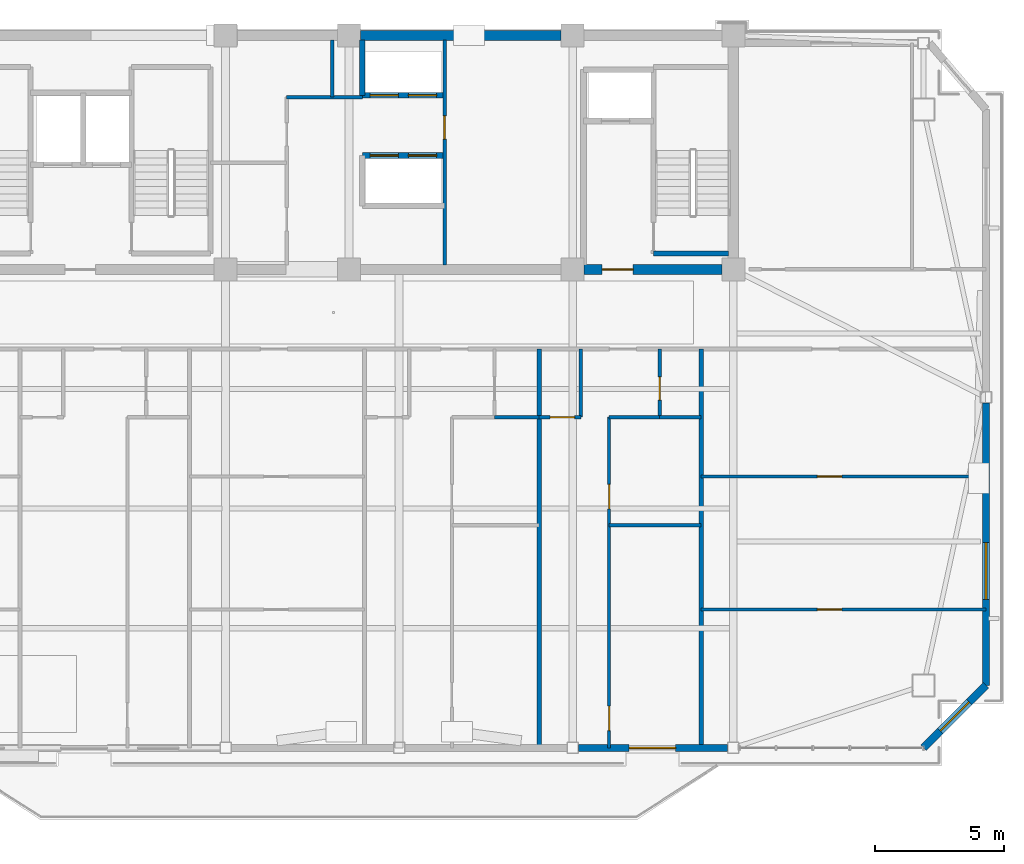
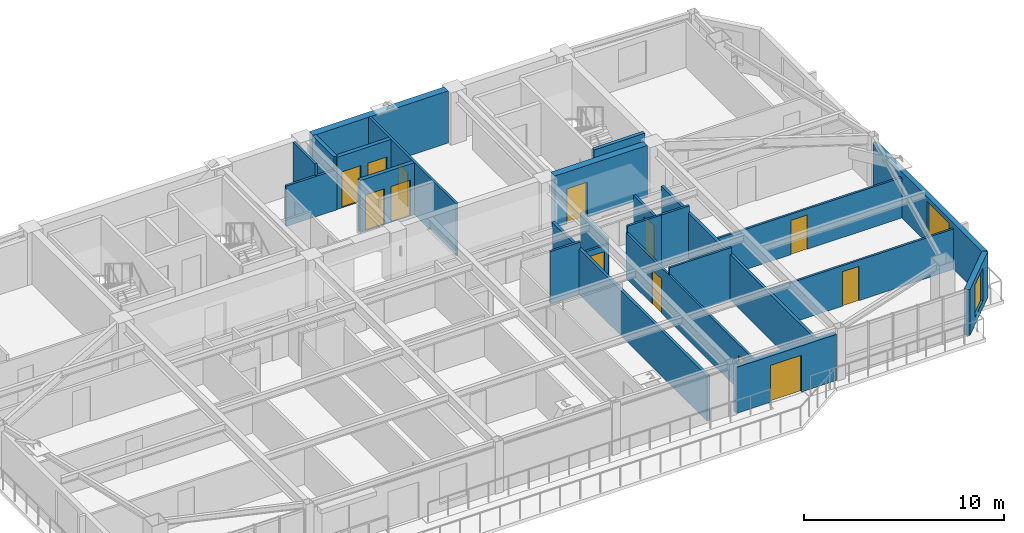
# One storey, part 9 of 15: 24 walls, 13 doors, 2 windows, 15 openings.
"""IFC4 building model written with IfcOpenShell, lengths in metres."""

from ifc_helpers import new_model, si_unit, direction, frame, frame_2d, origin, place, context, subcontext, project, spatial, rectangle, extrude, source, transform, mapped, material, layer, layer_set, type_object, element, fill, save


model = new_model("IFC4")

# Units and contexts
model_context = context("Model", 3, precision=1e-05, world=origin(), true_north=direction((0.0, 1.0)))
body_context = subcontext(model_context, "Body", "Model", "MODEL_VIEW")
ifc_project = project(units=[si_unit("LENGTHUNIT", "METRE"), si_unit("AREAUNIT", "SQUARE_METRE"), si_unit("VOLUMEUNIT", "CUBIC_METRE"), si_unit("PLANEANGLEUNIT", "RADIAN"), si_unit("MASSUNIT", "GRAM", prefix="KILO")], contexts=[model_context])

# Site, building, storey
site_placement = place(None, origin())
site = spatial("IfcSite", under=ifc_project, at=site_placement, CompositionType="ELEMENT")
building_placement = place(site_placement, origin())
building = spatial("IfcBuilding", under=site, at=building_placement, Name="Giltprow Tower", CompositionType="ELEMENT")
storey_placement = place(building_placement, frame((0.0, 0.0, 297.199951171875)))
storey = spatial("IfcBuildingStorey", under=building, at=storey_placement, Name="L76", CompositionType="ELEMENT", Elevation=297.199951171875)

# Wall, opening, window
ifc_material_1 = material(Name="Precast concrete C40", Category="concrete")
ifc_layer_1 = layer(ifc_material_1, 0.300048828125, Name="Precast concrete C40")
ifc_layer_set_1 = layer_set([ifc_layer_1], Name="Precast concrete C40")
wall_type_1 = type_object("IfcWallType", Name="EW-NOTCH-CHAMFER-300", PredefinedType="SOLIDWALL", material=ifc_layer_set_1)
wall_1_placement = place(storey_placement, frame((57.945068359375, 18.841064453125, 0.0), z_axis=(0.0, 0.0, 1.0), x_axis=(0.707106781187, 0.707106781187, 0.0)))
wall_1 = element("IfcWall", 1, at=wall_1_placement, inside=storey, type_object=wall_type_1, Name="L76 Corner Notch Wall SE", PredefinedType="SOLIDWALL", context=body_context, shape_type="SweptSolid", body=[
    extrude(rectangle(XDim=3.437744140625, YDim=0.300048828125, at=frame_2d((1.71875, 0.0))), origin(), (0.0, 0.0, 1.0), 2.81494140625),
])
opening_1_placement = place(wall_1_placement, frame((0.9189453125, 0.0, 0.449951171875)))
opening_1 = element("IfcOpeningElement", 2, at=opening_1_placement, cuts=wall_1, Name="Opening WN17", PredefinedType="OPENING", context=body_context, shape_type="SweptSolid", body=[
    extrude(rectangle(XDim=1.60009765625, YDim=2.0, at=frame_2d((0.800048828125, 1.0))), frame((0.0, 0.159912109375, 0.0), z_axis=(0.0, -1.0, 0.0), x_axis=(1.0, 0.0, 0.0)), (0.0, 0.0, 1.0), 0.320068359375),
])
ifc_material_2 = material(Name="Insulated glass", Category="glass")
window_type_1 = type_object("IfcWindowType", Name="WN-COR-1600x2000", PartitioningType="SINGLE_PANEL", PredefinedType="WINDOW", material=ifc_material_2)
shared_shape_1 = source(origin(), body_context, "Body", "SweptSolid", [
    extrude(rectangle(XDim=1.60009765625, YDim=2.0, at=frame_2d((0.800048828125, 1.0))), frame((0.0, 0.030029296875, 0.0), z_axis=(0.0, -1.0, 0.0), x_axis=(1.0, 0.0, 0.0)), (0.0, 0.0, 1.0), 0.06005859375),
])
window_1_placement = place(opening_1_placement, origin())
window_1 = element("IfcWindow", 3, at=window_1_placement, inside=storey, type_object=window_type_1, Name="L76 Corner Notch Window SE", OverallHeight=2.0, OverallWidth=1.60009765625, PartitioningType="SINGLE_PANEL", PredefinedType="WINDOW", context=body_context, shape_type="MappedRepresentation", body=[
    mapped(shared_shape_1, transform((0.0, 0.0, 0.0), x_axis=(1.0, 0.0, 0.0), y_axis=(0.0, 1.0, 0.0), z_axis=(0.0, 0.0, 1.0), scale=1.0)),
])
fill(opening_1, window_1)

# Wall, opening, door
ifc_layer_2 = layer(ifc_material_1, 0.280029296875, Name="Precast concrete C40")
ifc_layer_set_2 = layer_set([ifc_layer_2], Name="Precast concrete C40")
wall_type_2 = type_object("IfcWallType", Name="EW-TOW-BRONZE-280", PredefinedType="SOLIDWALL", material=ifc_layer_set_2)
wall_2_placement = place(storey_placement, frame((44.52490234375, 18.841064453125, 0.0), z_axis=(0.0, 0.0, 1.0), x_axis=(1.0, 0.0, 0.0)))
wall_2 = element("IfcWall", 4, at=wall_2_placement, inside=storey, type_object=wall_type_2, Name="L76 South Expressed Frame Wall 5", PredefinedType="SOLIDWALL", context=body_context, shape_type="SweptSolid", body=[
    extrude(rectangle(XDim=5.800048828125, YDim=0.280029296875, at=frame_2d((2.89990234375, 0.0))), origin(), (0.0, 0.0, 1.0), 2.81494140625),
])
opening_2_placement = place(wall_2_placement, frame((1.97509765625, 0.0, 0.0)))
opening_2 = element("IfcOpeningElement", 5, at=opening_2_placement, cuts=wall_2, Name="Opening ED25", PredefinedType="OPENING", context=body_context, shape_type="SweptSolid", body=[
    extrude(rectangle(XDim=1.800048828125, YDim=2.25, at=frame_2d((0.89990234375, 1.125))), frame((0.0, 0.14990234375, 0.0), z_axis=(0.0, -1.0, 0.0), x_axis=(1.0, 0.0, 0.0)), (0.0, 0.0, 1.0), 0.300048828125),
])
ifc_material_3 = material(Name="Anodized bronze and glass", Category="glass")
door_type_1 = type_object("IfcDoorType", Name="DR-BALC-SLIDE-1800", OperationType="SLIDING_TO_LEFT", PredefinedType="DOOR", material=ifc_material_3)
shared_shape_2 = source(origin(), body_context, "Body", "SweptSolid", [
    extrude(rectangle(XDim=1.800048828125, YDim=2.25, at=frame_2d((0.89990234375, 1.125))), frame((0.0, 0.02490234375, 0.0), z_axis=(0.0, -1.0, 0.0), x_axis=(1.0, 0.0, 0.0)), (0.0, 0.0, 1.0), 0.050048828125),
])
door_1_placement = place(opening_2_placement, origin())
door_1 = element("IfcDoor", 6, at=door_1_placement, inside=storey, type_object=door_type_1, Name="L76 Waterfront Balcony Sliding Door 2", OperationType="SLIDING_TO_LEFT", OverallHeight=2.25, OverallWidth=1.800048828125, PredefinedType="DOOR", context=body_context, shape_type="MappedRepresentation", body=[
    mapped(shared_shape_2, transform((0.0, 0.0, 0.0), x_axis=(1.0, 0.0, 0.0), y_axis=(0.0, 1.0, 0.0), z_axis=(0.0, 0.0, 1.0), scale=1.0)),
])
fill(opening_2, door_1)

# Wall, opening, window
wall_3_placement = place(storey_placement, frame((60.3759765625, 21.27197265625, 0.0), z_axis=(0.0, 0.0, 1.0), x_axis=(0.0, 1.0, 0.0)))
wall_3 = element("IfcWall", 7, at=wall_3_placement, inside=storey, type_object=wall_type_2, Name="L76 E Wing Masonry Wall 1", PredefinedType="SOLIDWALL", context=body_context, shape_type="SweptSolid", body=[
    extrude(rectangle(XDim=10.97412109375, YDim=0.280029296875, at=frame_2d((5.487060546875, 0.0))), origin(), (0.0, 0.0, 1.0), 2.81494140625),
])
opening_3_placement = place(wall_3_placement, frame((3.346923828125, 0.0, 0.449951171875)))
opening_3 = element("IfcOpeningElement", 8, at=opening_3_placement, cuts=wall_3, Name="Opening WN27", PredefinedType="OPENING", context=body_context, shape_type="SweptSolid", body=[
    extrude(rectangle(XDim=2.199951171875, YDim=2.10009765625, at=frame_2d((1.10009765625, 1.050048828125))), frame((0.0, 0.14990234375, 0.0), z_axis=(0.0, -1.0, 0.0), x_axis=(1.0, 0.0, 0.0)), (0.0, 0.0, 1.0), 0.300048828125),
])
window_type_2 = type_object("IfcWindowType", Name="WN-RES-2200x2100", PartitioningType="TRIPLE_PANEL_VERTICAL", PredefinedType="WINDOW", material=ifc_material_2)
shared_shape_3 = source(origin(), body_context, "Body", "SweptSolid", [
    extrude(rectangle(XDim=2.199951171875, YDim=2.10009765625, at=frame_2d((1.10009765625, 1.050048828125))), frame((0.0, 0.030029296875, 0.0), z_axis=(0.0, -1.0, 0.0), x_axis=(1.0, 0.0, 0.0)), (0.0, 0.0, 1.0), 0.06005859375),
])
window_2_placement = place(opening_3_placement, origin())
window_2 = element("IfcWindow", 9, at=window_2_placement, inside=storey, type_object=window_type_2, Name="L76 E Wing Window 1-1", OverallHeight=2.10009765625, OverallWidth=2.199951171875, PartitioningType="SINGLE_PANEL", PredefinedType="WINDOW", context=body_context, shape_type="MappedRepresentation", body=[
    mapped(shared_shape_3, transform((0.0, 0.0, 0.0), x_axis=(1.0, 0.0, 0.0), y_axis=(0.0, 1.0, 0.0), z_axis=(0.0, 0.0, 1.0), scale=1.0)),
])
fill(opening_3, window_2)

# Walls
ifc_material_4 = material(Name="Gypsum stud partition", Category="gypsum")
ifc_layer_3 = layer(ifc_material_4, 0.159912109375, Name="Gypsum stud partition")
ifc_layer_set_3 = layer_set([ifc_layer_3], Name="Gypsum stud partition")
wall_type_3 = type_object("IfcWallType", Name="IW-DEMISE-160", PredefinedType="PARTITIONING", material=ifc_layer_set_3)
for number, where, z_axis, x_axis, name in (
    (10, (43.0, 18.841064453125, 0.0), (0.0, 0.0, 1.0), (0.0, 1.0, 0.0), "L76 Apartment Party Wall 4"),
    (11, (49.300048828125, 18.841064453125, 0.0), (0.0, 0.0, 1.0), (0.0, 1.0, 0.0), "L76 Apartment Party Wall 5"),
):
    element("IfcWall", number, at=place(storey_placement, frame(where, z_axis=z_axis, x_axis=x_axis)), inside=storey, type_object=wall_type_3, Name=name, PredefinedType="PARTITIONING", context=body_context, shape_type="SweptSolid", body=[
        extrude(rectangle(XDim=15.509033203125, YDim=0.159912109375, at=frame_2d((7.75439453125, 0.0))), origin(), (0.0, 0.0, 1.0), 2.77001953125),
    ])
ifc_layer_4 = layer(ifc_material_4, 0.1201171875, Name="Gypsum stud partition")
ifc_layer_set_4 = layer_set([ifc_layer_4], Name="Gypsum stud partition")
wall_type_4 = type_object("IfcWallType", Name="IW-ROOM-120", PredefinedType="PARTITIONING", material=ifc_layer_set_4)
wall_4_placement = place(storey_placement, frame((45.719970703125, 31.699951171875, 0.0), z_axis=(0.0, 0.0, 1.0), x_axis=(1.0, 0.0, 0.0)))
element("IfcWall", 12, at=wall_4_placement, inside=storey, type_object=wall_type_4, Name="L76 Unit 3 Bedroom North Wall", PredefinedType="PARTITIONING", context=body_context, shape_type="SweptSolid", body=[
    extrude(rectangle(XDim=1.965087890625, YDim=0.1201171875, at=frame_2d((0.982421875, 0.0))), origin(), (0.0, 0.0, 1.0), 3.18505859375),
])

# Wall, openings, doors
wall_5_placement = place(storey_placement, frame((45.719970703125, 18.841064453125, 0.0), z_axis=(0.0, 0.0, 1.0), x_axis=(0.0, 1.0, 0.0)))
wall_5 = element("IfcWall", 13, at=wall_5_placement, inside=storey, type_object=wall_type_4, Name="L76 Unit 3 Bedroom Wall", PredefinedType="PARTITIONING", context=body_context, shape_type="SweptSolid", body=[
    extrude(rectangle(XDim=12.85888671875, YDim=0.1201171875, at=frame_2d((6.429443359375, 0.0))), origin(), (0.0, 0.0, 1.0), 2.77001953125),
])
opening_4_placement = place(wall_5_placement, frame((0.669921875, 0.0, 0.0)))
opening_4 = element("IfcOpeningElement", 14, at=opening_4_placement, cuts=wall_5, Name="Opening ID11", PredefinedType="OPENING", context=body_context, shape_type="SweptSolid", body=[
    extrude(rectangle(XDim=0.949951171875, YDim=2.10009765625, at=frame_2d((0.47509765625, 1.050048828125))), frame((0.0, 0.070068359375, 0.0), z_axis=(0.0, -1.0, 0.0), x_axis=(1.0, 0.0, 0.0)), (0.0, 0.0, 1.0), 0.14013671875),
])
opening_5_placement = place(wall_5_placement, frame((9.299072265625, 0.0, 0.0)))
opening_5 = element("IfcOpeningElement", 15, at=opening_5_placement, cuts=wall_5, Name="Opening ID11", PredefinedType="OPENING", context=body_context, shape_type="SweptSolid", body=[
    extrude(rectangle(XDim=0.949951171875, YDim=2.10009765625, at=frame_2d((0.47509765625, 1.050048828125))), frame((0.0, 0.070068359375, 0.0), z_axis=(0.0, -1.0, 0.0), x_axis=(1.0, 0.0, 0.0)), (0.0, 0.0, 1.0), 0.14013671875),
])
ifc_material_5 = material(Name="Engineered timber", Category="wood")
door_type_2 = type_object("IfcDoorType", Name="DR-ROOM-950", OperationType="SINGLE_SWING_RIGHT", PredefinedType="DOOR", material=ifc_material_5)
shared_shape_4 = source(origin(), body_context, "Body", "SweptSolid", [
    extrude(rectangle(XDim=0.949951171875, YDim=2.10009765625, at=frame_2d((0.47509765625, 1.050048828125))), frame((0.0, 0.02490234375, 0.0), z_axis=(0.0, -1.0, 0.0), x_axis=(1.0, 0.0, 0.0)), (0.0, 0.0, 1.0), 0.050048828125),
])
door_2_placement = place(opening_4_placement, origin())
door_2 = element("IfcDoor", 16, at=door_2_placement, inside=storey, type_object=door_type_2, Name="L76 Unit 3 Primary Bedroom Door", OperationType="SINGLE_SWING_RIGHT", OverallHeight=2.10009765625, OverallWidth=0.949951171875, PredefinedType="DOOR", context=body_context, shape_type="MappedRepresentation", body=[
    mapped(shared_shape_4, transform((0.0, 0.0, 0.0), x_axis=(1.0, 0.0, 0.0), y_axis=(0.0, 1.0, 0.0), z_axis=(0.0, 0.0, 1.0), scale=1.0)),
])
fill(opening_4, door_2)
door_3_placement = place(opening_5_placement, origin())
door_3 = element("IfcDoor", 17, at=door_3_placement, inside=storey, type_object=door_type_2, Name="L76 Unit 3 Second Bedroom Door", OperationType="SINGLE_SWING_LEFT", OverallHeight=2.10009765625, OverallWidth=0.949951171875, PredefinedType="DOOR", context=body_context, shape_type="MappedRepresentation", body=[
    mapped(shared_shape_4, transform((0.0, 0.0, 0.0), x_axis=(1.0, 0.0, 0.0), y_axis=(0.0, 1.0, 0.0), z_axis=(0.0, 0.0, 1.0), scale=1.0)),
])
fill(opening_5, door_3)

# Wall
wall_6_placement = place(storey_placement, frame((45.719970703125, 27.5, 0.0), z_axis=(0.0, 0.0, 1.0), x_axis=(1.0, 0.0, 0.0)))
element("IfcWall", 18, at=wall_6_placement, inside=storey, type_object=wall_type_4, Name="L76 Unit 3 Second Bedroom Wall", PredefinedType="PARTITIONING", context=body_context, shape_type="SweptSolid", body=[
    extrude(rectangle(XDim=3.580078125, YDim=0.1201171875, at=frame_2d((1.7900390625, 0.0))), origin(), (0.0, 0.0, 1.0), 3.18505859375),
])

# Wall, opening, door
wall_7_placement = place(storey_placement, frame((49.300048828125, 24.218994140625, 0.0), z_axis=(0.0, 0.0, 1.0), x_axis=(1.0, 0.0, 0.0)))
wall_7 = element("IfcWall", 19, at=wall_7_placement, inside=storey, type_object=wall_type_4, Name="L76 Special Split 1", PredefinedType="PARTITIONING", context=body_context, shape_type="SweptSolid", body=[
    extrude(rectangle(XDim=11.075927734375, YDim=0.1201171875, at=frame_2d((5.5380859375, 0.0))), origin(), (0.0, 0.0, 1.0), 2.469970703125),
])
opening_6_placement = place(wall_7_placement, frame((4.51611328125, 0.0, 0.0)))
opening_6 = element("IfcOpeningElement", 20, at=opening_6_placement, cuts=wall_7, Name="Opening ID11", PredefinedType="OPENING", context=body_context, shape_type="SweptSolid", body=[
    extrude(rectangle(XDim=0.949951171875, YDim=2.10009765625, at=frame_2d((0.47509765625, 1.050048828125))), frame((0.0, 0.070068359375, 0.0), z_axis=(0.0, -1.0, 0.0), x_axis=(1.0, 0.0, 0.0)), (0.0, 0.0, 1.0), 0.14013671875),
])
door_4_placement = place(opening_6_placement, origin())
door_4 = element("IfcDoor", 21, at=door_4_placement, inside=storey, type_object=door_type_2, Name="L76 Sky Yoga Gym 3 South Door", OperationType="SINGLE_SWING_RIGHT", OverallHeight=2.10009765625, OverallWidth=0.949951171875, PredefinedType="DOOR", context=body_context, shape_type="MappedRepresentation", body=[
    mapped(shared_shape_4, transform((0.0, 0.0, 0.0), x_axis=(1.0, 0.0, 0.0), y_axis=(0.0, 1.0, 0.0), z_axis=(0.0, 0.0, 1.0), scale=1.0)),
])
fill(opening_6, door_4)

wall_8_placement = place(storey_placement, frame((49.300048828125, 29.39697265625, 0.0), z_axis=(0.0, 0.0, 1.0), x_axis=(1.0, 0.0, 0.0)))
wall_8 = element("IfcWall", 22, at=wall_8_placement, inside=storey, type_object=wall_type_4, Name="L76 Special Split 2", PredefinedType="PARTITIONING", context=body_context, shape_type="SweptSolid", body=[
    extrude(rectangle(XDim=11.075927734375, YDim=0.1201171875, at=frame_2d((5.5380859375, 0.0))), origin(), (0.0, 0.0, 1.0), 2.469970703125),
])
opening_7_placement = place(wall_8_placement, frame((4.51611328125, 0.0, 0.0)))
opening_7 = element("IfcOpeningElement", 23, at=opening_7_placement, cuts=wall_8, Name="Opening ID11", PredefinedType="OPENING", context=body_context, shape_type="SweptSolid", body=[
    extrude(rectangle(XDim=0.949951171875, YDim=2.10009765625, at=frame_2d((0.47509765625, 1.050048828125))), frame((0.0, 0.070068359375, 0.0), z_axis=(0.0, -1.0, 0.0), x_axis=(1.0, 0.0, 0.0)), (0.0, 0.0, 1.0), 0.14013671875),
])
door_5_placement = place(opening_7_placement, origin())
door_5 = element("IfcDoor", 24, at=door_5_placement, inside=storey, type_object=door_type_2, Name="L76 Sky Yoga Gym 3 Mid Door", OperationType="SINGLE_SWING_LEFT", OverallHeight=2.10009765625, OverallWidth=0.949951171875, PredefinedType="DOOR", context=body_context, shape_type="MappedRepresentation", body=[
    mapped(shared_shape_4, transform((0.0, 0.0, 0.0), x_axis=(1.0, 0.0, 0.0), y_axis=(0.0, 1.0, 0.0), z_axis=(0.0, 0.0, 1.0), scale=1.0)),
])
fill(opening_7, door_5)

# Wall, openings, doors
ifc_material_6 = material(Name="Concrete C40", Category="concrete")
ifc_layer_5 = layer(ifc_material_6, 0.219970703125, Name="Concrete C40")
ifc_layer_set_5 = layer_set([ifc_layer_5], Name="Concrete C40")
wall_type_5 = type_object("IfcWallType", Name="IW-SHAFT-220", PredefinedType="SOLIDWALL", material=ifc_layer_set_5)
wall_9_placement = place(storey_placement, frame((36.1201171875, 44.219970703125, 0.0), z_axis=(0.0, 0.0, 1.0), x_axis=(1.0, 0.0, 0.0)))
wall_9 = element("IfcWall", 25, at=wall_9_placement, inside=storey, type_object=wall_type_5, Name="L76 High-Rise Lift Shaft Front Wall N", PredefinedType="SOLIDWALL", context=body_context, shape_type="SweptSolid", body=[
    extrude(rectangle(XDim=3.199951171875, YDim=0.219970703125, at=frame_2d((1.60009765625, 0.0))), origin(), (0.0, 0.0, 1.0), 3.18505859375),
])
opening_8_placement = place(wall_9_placement, frame((0.300048828125, 0.0, 0.0)))
opening_8 = element("IfcOpeningElement", 26, at=opening_8_placement, cuts=wall_9, Name="Opening LD-11", PredefinedType="OPENING", context=body_context, shape_type="SweptSolid", body=[
    extrude(rectangle(XDim=1.10009765625, YDim=2.199951171875, at=frame_2d((0.550048828125, 1.10009765625))), frame((0.0, 0.119873046875, 0.0), z_axis=(0.0, -1.0, 0.0), x_axis=(1.0, 0.0, 0.0)), (0.0, 0.0, 1.0), 0.239990234375),
])
opening_9_placement = place(wall_9_placement, frame((1.7900390625, 0.0, 0.0)))
opening_9 = element("IfcOpeningElement", 27, at=opening_9_placement, cuts=wall_9, Name="Opening LD-11", PredefinedType="OPENING", context=body_context, shape_type="SweptSolid", body=[
    extrude(rectangle(XDim=1.10009765625, YDim=2.199951171875, at=frame_2d((0.550048828125, 1.10009765625))), frame((0.0, 0.119873046875, 0.0), z_axis=(0.0, -1.0, 0.0), x_axis=(1.0, 0.0, 0.0)), (0.0, 0.0, 1.0), 0.239990234375),
])
ifc_material_7 = material(Name="Stainless steel", Category="steel")
door_type_3 = type_object("IfcDoorType", Name="DR-LIFT-LD1100", OperationType="SLIDING_TO_LEFT", PredefinedType="DOOR", material=ifc_material_7)
shared_shape_5 = source(origin(), body_context, "Body", "SweptSolid", [
    extrude(rectangle(XDim=1.10009765625, YDim=2.199951171875, at=frame_2d((0.550048828125, 1.10009765625))), frame((0.0, 0.02490234375, 0.0), z_axis=(0.0, -1.0, 0.0), x_axis=(1.0, 0.0, 0.0)), (0.0, 0.0, 1.0), 0.050048828125),
])
door_6_placement = place(opening_8_placement, origin())
door_6 = element("IfcDoor", 28, at=door_6_placement, inside=storey, type_object=door_type_3, Name="L76 PL-H1 Landing Door", OperationType="SLIDING_TO_LEFT", OverallHeight=2.199951171875, OverallWidth=1.10009765625, PredefinedType="DOOR", context=body_context, shape_type="MappedRepresentation", body=[
    mapped(shared_shape_5, transform((0.0, 0.0, 0.0), x_axis=(1.0, 0.0, 0.0), y_axis=(0.0, 1.0, 0.0), z_axis=(0.0, 0.0, 1.0), scale=1.0)),
])
fill(opening_8, door_6)
door_7_placement = place(opening_9_placement, origin())
door_7 = element("IfcDoor", 29, at=door_7_placement, inside=storey, type_object=door_type_3, Name="L76 PL-H2 Landing Door", OperationType="SLIDING_TO_LEFT", OverallHeight=2.199951171875, OverallWidth=1.10009765625, PredefinedType="DOOR", context=body_context, shape_type="MappedRepresentation", body=[
    mapped(shared_shape_5, transform((0.0, 0.0, 0.0), x_axis=(1.0, 0.0, 0.0), y_axis=(0.0, 1.0, 0.0), z_axis=(0.0, 0.0, 1.0), scale=1.0)),
])
fill(opening_9, door_7)

wall_10_placement = place(storey_placement, frame((36.1201171875, 41.8798828125, 0.0), z_axis=(0.0, 0.0, 1.0), x_axis=(1.0, 0.0, 0.0)))
wall_10 = element("IfcWall", 30, at=wall_10_placement, inside=storey, type_object=wall_type_5, Name="L76 High-Rise Lift Shaft Front Wall S", PredefinedType="SOLIDWALL", context=body_context, shape_type="SweptSolid", body=[
    extrude(rectangle(XDim=3.199951171875, YDim=0.219970703125, at=frame_2d((1.60009765625, 0.0))), origin(), (0.0, 0.0, 1.0), 3.18505859375),
])
opening_10_placement = place(wall_10_placement, frame((0.300048828125, 0.0, 0.0)))
opening_10 = element("IfcOpeningElement", 31, at=opening_10_placement, cuts=wall_10, Name="Opening LD-11", PredefinedType="OPENING", context=body_context, shape_type="SweptSolid", body=[
    extrude(rectangle(XDim=1.10009765625, YDim=2.199951171875, at=frame_2d((0.550048828125, 1.10009765625))), frame((0.0, 0.119873046875, 0.0), z_axis=(0.0, -1.0, 0.0), x_axis=(1.0, 0.0, 0.0)), (0.0, 0.0, 1.0), 0.239990234375),
])
opening_11_placement = place(wall_10_placement, frame((1.7900390625, 0.0, 0.0)))
opening_11 = element("IfcOpeningElement", 32, at=opening_11_placement, cuts=wall_10, Name="Opening LD-11", PredefinedType="OPENING", context=body_context, shape_type="SweptSolid", body=[
    extrude(rectangle(XDim=1.10009765625, YDim=2.199951171875, at=frame_2d((0.550048828125, 1.10009765625))), frame((0.0, 0.119873046875, 0.0), z_axis=(0.0, -1.0, 0.0), x_axis=(1.0, 0.0, 0.0)), (0.0, 0.0, 1.0), 0.239990234375),
])
door_8_placement = place(opening_10_placement, origin())
door_8 = element("IfcDoor", 33, at=door_8_placement, inside=storey, type_object=door_type_3, Name="L76 PL-H3 Landing Door", OperationType="SLIDING_TO_LEFT", OverallHeight=2.199951171875, OverallWidth=1.10009765625, PredefinedType="DOOR", context=body_context, shape_type="MappedRepresentation", body=[
    mapped(shared_shape_5, transform((0.0, 0.0, 0.0), x_axis=(1.0, 0.0, 0.0), y_axis=(0.0, 1.0, 0.0), z_axis=(0.0, 0.0, 1.0), scale=1.0)),
])
fill(opening_10, door_8)
door_9_placement = place(opening_11_placement, origin())
door_9 = element("IfcDoor", 34, at=door_9_placement, inside=storey, type_object=door_type_3, Name="L76 PL-H4 Landing Door", OperationType="SLIDING_TO_LEFT", OverallHeight=2.199951171875, OverallWidth=1.10009765625, PredefinedType="DOOR", context=body_context, shape_type="MappedRepresentation", body=[
    mapped(shared_shape_5, transform((0.0, 0.0, 0.0), x_axis=(1.0, 0.0, 0.0), y_axis=(0.0, 1.0, 0.0), z_axis=(0.0, 0.0, 1.0), scale=1.0)),
])
fill(opening_11, door_9)

# Walls
wall_11_placement = place(storey_placement, frame((36.1201171875, 44.219970703125, 0.0), z_axis=(0.0, 0.0, 1.0), x_axis=(0.0, 1.0, 0.0)))
element("IfcWall", 35, at=wall_11_placement, inside=storey, type_object=wall_type_5, Name="L76 High-Rise North Lift West Closure", PredefinedType="SOLIDWALL", context=body_context, shape_type="SweptSolid", body=[
    extrude(rectangle(XDim=2.150146484375, YDim=0.219970703125, at=frame_2d((1.0751953125, 0.0))), origin(), (0.0, 0.0, 1.0), 3.18505859375),
])
ifc_layer_6 = layer(ifc_material_6, 0.199951171875, Name="Concrete C40")
ifc_layer_set_6 = layer_set([ifc_layer_6], Name="Concrete C40")
wall_type_6 = type_object("IfcWallType", Name="IW-STAIR-200", PredefinedType="SOLIDWALL", material=ifc_layer_set_6)
wall_12_placement = place(storey_placement, frame((47.43994140625, 38.070068359375, 0.0), z_axis=(0.0, 0.0, 1.0), x_axis=(1.0, 0.0, 0.0)))
element("IfcWall", 36, at=wall_12_placement, inside=storey, type_object=wall_type_6, Name="L76 Stair ST-3 South Bearing Wall", PredefinedType="SOLIDWALL", context=body_context, shape_type="SweptSolid", body=[
    extrude(rectangle(XDim=2.93017578125, YDim=0.199951171875, at=frame_2d((1.465087890625, 0.0))), origin(), (0.0, 0.0, 1.0), 3.400146484375),
])
ifc_material_8 = material(Name="Concrete C30", Category="concrete")
ifc_layer_7 = layer(ifc_material_8, 0.1298828125, Name="Concrete C30")
ifc_layer_set_7 = layer_set([ifc_layer_7], Name="Concrete C30")
wall_type_7 = type_object("IfcWallType", Name="IW-WET-130", PredefinedType="PARTITIONING", material=ifc_layer_set_7)
wall_13_placement = place(storey_placement, frame((34.949951171875, 44.14990234375, 0.0), z_axis=(0.0, 0.0, 1.0), x_axis=(0.0, 1.0, 0.0)))
element("IfcWall", 37, at=wall_13_placement, inside=storey, type_object=wall_type_7, Name="L76 Reclaimed West Pocket Wall E", PredefinedType="PARTITIONING", context=body_context, shape_type="SweptSolid", body=[
    extrude(rectangle(XDim=2.22021484375, YDim=0.1298828125, at=frame_2d((1.110107421875, 0.0))), origin(), (0.0, 0.0, 1.0), 3.18505859375),
])
wall_14_placement = place(storey_placement, frame((33.179931640625, 44.14990234375, 0.0), z_axis=(0.0, 0.0, 1.0), x_axis=(1.0, 0.0, 0.0)))
element("IfcWall", 38, at=wall_14_placement, inside=storey, type_object=wall_type_7, Name="L76 Reclaimed West Pocket Wall S", PredefinedType="PARTITIONING", context=body_context, shape_type="SweptSolid", body=[
    extrude(rectangle(XDim=2.940185546875, YDim=0.1298828125, at=frame_2d((1.47021484375, 0.0))), origin(), (0.0, 0.0, 1.0), 2.469970703125),
])

# Wall, opening, door
wall_15_placement = place(storey_placement, frame((39.320068359375, 37.6298828125, 0.0), z_axis=(0.0, 0.0, 1.0), x_axis=(0.0, 1.0, 0.0)))
wall_15 = element("IfcWall", 39, at=wall_15_placement, inside=storey, type_object=wall_type_7, Name="L76 Reclaimed East Core Wall", PredefinedType="PARTITIONING", context=body_context, shape_type="SweptSolid", body=[
    extrude(rectangle(XDim=8.740234375, YDim=0.1298828125, at=frame_2d((4.3701171875, 0.0))), origin(), (0.0, 0.0, 1.0), 3.18505859375),
])
opening_12_placement = place(wall_15_placement, frame((4.889892578125, 0.0, 0.0)))
opening_12 = element("IfcOpeningElement", 40, at=opening_12_placement, cuts=wall_15, Name="Opening ID35", PredefinedType="OPENING", context=body_context, shape_type="SweptSolid", body=[
    extrude(rectangle(XDim=0.89990234375, YDim=2.10009765625, at=frame_2d((0.449951171875, 1.050048828125))), frame((0.0, 0.074951171875, 0.0), z_axis=(0.0, -1.0, 0.0), x_axis=(1.0, 0.0, 0.0)), (0.0, 0.0, 1.0), 0.14990234375),
])
ifc_material_9 = material(Name="Steel fire leaf", Category="steel")
door_type_4 = type_object("IfcDoorType", Name="DR-SHAFT-900", OperationType="SINGLE_SWING_LEFT", PredefinedType="DOOR", material=ifc_material_9)
shared_shape_6 = source(origin(), body_context, "Body", "SweptSolid", [
    extrude(rectangle(XDim=0.89990234375, YDim=2.10009765625, at=frame_2d((0.449951171875, 1.050048828125))), frame((0.0, 0.02490234375, 0.0), z_axis=(0.0, -1.0, 0.0), x_axis=(1.0, 0.0, 0.0)), (0.0, 0.0, 1.0), 0.050048828125),
])
door_10_placement = place(opening_12_placement, origin())
door_10 = element("IfcDoor", 41, at=door_10_placement, inside=storey, type_object=door_type_4, Name="L76 Core Cold Delivery Store Door", OperationType="SINGLE_SWING_LEFT", OverallHeight=2.10009765625, OverallWidth=0.89990234375, PredefinedType="DOOR", context=body_context, shape_type="MappedRepresentation", body=[
    mapped(shared_shape_6, transform((0.0, 0.0, 0.0), x_axis=(1.0, 0.0, 0.0), y_axis=(0.0, 1.0, 0.0), z_axis=(0.0, 0.0, 1.0), scale=1.0)),
])
fill(opening_12, door_10)

# Wall
wall_16_placement = place(storey_placement, frame((41.260009765625, 31.699951171875, 0.0), z_axis=(0.0, 0.0, 1.0), x_axis=(1.0, 0.0, 0.0)))
element("IfcWall", 42, at=wall_16_placement, inside=storey, type_object=wall_type_7, Name="L76 Unit 2 Bathroom South Wall", PredefinedType="PARTITIONING", context=body_context, shape_type="SweptSolid", body=[
    extrude(rectangle(XDim=1.739990234375, YDim=0.1298828125, at=frame_2d((0.8701171875, 0.0))), origin(), (0.0, 0.0, 1.0), 3.18505859375),
])

# Wall, opening, door
wall_17_placement = place(storey_placement, frame((43.0, 31.699951171875, 0.0), z_axis=(0.0, 0.0, 1.0), x_axis=(1.0, 0.0, 0.0)))
wall_17 = element("IfcWall", 43, at=wall_17_placement, inside=storey, type_object=wall_type_7, Name="L76 Unit 3 Kitchen South Wall", PredefinedType="PARTITIONING", context=body_context, shape_type="SweptSolid", body=[
    extrude(rectangle(XDim=1.614990234375, YDim=0.1298828125, at=frame_2d((0.8076171875, 0.0))), origin(), (0.0, 0.0, 1.0), 2.469970703125),
])
opening_13_placement = place(wall_17_placement, frame((0.425048828125, 0.0, 0.0)))
opening_13 = element("IfcOpeningElement", 44, at=opening_13_placement, cuts=wall_17, Name="Opening ID11", PredefinedType="OPENING", context=body_context, shape_type="SweptSolid", body=[
    extrude(rectangle(XDim=0.949951171875, YDim=2.10009765625, at=frame_2d((0.47509765625, 1.050048828125))), frame((0.0, 0.074951171875, 0.0), z_axis=(0.0, -1.0, 0.0), x_axis=(1.0, 0.0, 0.0)), (0.0, 0.0, 1.0), 0.14990234375),
])
door_11_placement = place(opening_13_placement, origin())
door_11 = element("IfcDoor", 45, at=door_11_placement, inside=storey, type_object=door_type_2, Name="L76 Unit 3 Kitchen Door", OperationType="SINGLE_SWING_RIGHT", OverallHeight=2.10009765625, OverallWidth=0.949951171875, PredefinedType="DOOR", context=body_context, shape_type="MappedRepresentation", body=[
    mapped(shared_shape_4, transform((0.0, 0.0, 0.0), x_axis=(1.0, 0.0, 0.0), y_axis=(0.0, 1.0, 0.0), z_axis=(0.0, 0.0, 1.0), scale=1.0)),
])
fill(opening_13, door_11)

# Walls
wall_18_placement = place(storey_placement, frame((44.614990234375, 31.699951171875, 0.0), z_axis=(0.0, 0.0, 1.0), x_axis=(0.0, 1.0, 0.0)))
element("IfcWall", 46, at=wall_18_placement, inside=storey, type_object=wall_type_7, Name="L76 Unit 3 Kitchen East Wall", PredefinedType="PARTITIONING", context=body_context, shape_type="SweptSolid", body=[
    extrude(rectangle(XDim=2.650146484375, YDim=0.1298828125, at=frame_2d((1.3251953125, 0.0))), origin(), (0.0, 0.0, 1.0), 2.77001953125),
])
wall_19_placement = place(storey_placement, frame((47.68505859375, 31.699951171875, 0.0), z_axis=(0.0, 0.0, 1.0), x_axis=(1.0, 0.0, 0.0)))
element("IfcWall", 47, at=wall_19_placement, inside=storey, type_object=wall_type_7, Name="L76 Unit 3 Bathroom South Wall", PredefinedType="PARTITIONING", context=body_context, shape_type="SweptSolid", body=[
    extrude(rectangle(XDim=1.614990234375, YDim=0.1298828125, at=frame_2d((0.8076171875, 0.0))), origin(), (0.0, 0.0, 1.0), 3.18505859375),
])

# Wall, opening, door
wall_20_placement = place(storey_placement, frame((47.68505859375, 31.699951171875, 0.0), z_axis=(0.0, 0.0, 1.0), x_axis=(0.0, 1.0, 0.0)))
wall_20 = element("IfcWall", 48, at=wall_20_placement, inside=storey, type_object=wall_type_7, Name="L76 Unit 3 Bathroom West Wall", PredefinedType="PARTITIONING", context=body_context, shape_type="SweptSolid", body=[
    extrude(rectangle(XDim=2.650146484375, YDim=0.1298828125, at=frame_2d((1.3251953125, 0.0))), origin(), (0.0, 0.0, 1.0), 2.77001953125),
])
opening_14_placement = place(wall_20_placement, frame((0.669921875, 0.0, 0.0)))
opening_14 = element("IfcOpeningElement", 49, at=opening_14_placement, cuts=wall_20, Name="Opening ID15", PredefinedType="OPENING", context=body_context, shape_type="SweptSolid", body=[
    extrude(rectangle(XDim=0.89990234375, YDim=2.10009765625, at=frame_2d((0.449951171875, 1.050048828125))), frame((0.0, 0.074951171875, 0.0), z_axis=(0.0, -1.0, 0.0), x_axis=(1.0, 0.0, 0.0)), (0.0, 0.0, 1.0), 0.14990234375),
])
door_type_5 = type_object("IfcDoorType", Name="DR-WC-900", OperationType="SINGLE_SWING_LEFT", PredefinedType="DOOR", material=ifc_material_5)
door_12_placement = place(opening_14_placement, origin())
door_12 = element("IfcDoor", 50, at=door_12_placement, inside=storey, type_object=door_type_5, Name="L76 Unit 3 Bathroom Door", OperationType="SINGLE_SWING_LEFT", OverallHeight=2.10009765625, OverallWidth=0.89990234375, PredefinedType="DOOR", context=body_context, shape_type="MappedRepresentation", body=[
    mapped(shared_shape_6, transform((0.0, 0.0, 0.0), x_axis=(1.0, 0.0, 0.0), y_axis=(0.0, 1.0, 0.0), z_axis=(0.0, 0.0, 1.0), scale=1.0)),
])
fill(opening_14, door_12)

# Wall
ifc_material_10 = material(Name="Concrete C45", Category="concrete")
ifc_layer_8 = layer(ifc_material_10, 0.39990234375, Name="Concrete C45")
ifc_layer_set_8 = layer_set([ifc_layer_8], Name="Concrete C45")
wall_type_8 = type_object("IfcWallType", Name="SW-EXT-400-C45", PredefinedType="SHEAR", material=ifc_layer_set_8)
wall_21_placement = place(storey_placement, frame((36.050048828125, 46.550048828125, 0.0), z_axis=(0.0, 0.0, 1.0), x_axis=(1.0, 0.0, 0.0)))
element("IfcWall", 51, at=wall_21_placement, inside=storey, type_object=wall_type_8, Name="L76 North Rear Core Shear Wall 3", PredefinedType="SHEAR", context=body_context, shape_type="SweptSolid", body=[
    extrude(rectangle(XDim=7.800048828125, YDim=0.39990234375, at=frame_2d((3.89990234375, 0.0))), origin(), (0.0, 0.0, 1.0), 3.18505859375),
])

# Wall, opening, door
ifc_layer_9 = layer(ifc_material_10, 0.39990234375, Name="Concrete C45")
ifc_layer_set_9 = layer_set([ifc_layer_9], Name="Concrete C45")
wall_type_9 = type_object("IfcWallType", Name="SW-INT-400-C45", PredefinedType="SHEAR", material=ifc_layer_set_9)
wall_22_placement = place(storey_placement, frame((44.75, 37.449951171875, 0.0), z_axis=(0.0, 0.0, 1.0), x_axis=(1.0, 0.0, 0.0)))
wall_22 = element("IfcWall", 52, at=wall_22_placement, inside=storey, type_object=wall_type_9, Name="L76 South Rear Core Shear Wall East", PredefinedType="SHEAR", context=body_context, shape_type="SweptSolid", body=[
    extrude(rectangle(XDim=5.35009765625, YDim=0.39990234375, at=frame_2d((2.675048828125, 0.0))), origin(), (0.0, 0.0, 1.0), 3.18505859375),
])
opening_15_placement = place(wall_22_placement, frame((0.699951171875, 0.0, 0.0)))
opening_15 = element("IfcOpeningElement", 53, at=opening_15_placement, cuts=wall_22, Name="Opening ID19", PredefinedType="OPENING", context=body_context, shape_type="SweptSolid", body=[
    extrude(rectangle(XDim=1.199951171875, YDim=2.14990234375, at=frame_2d((0.60009765625, 1.074951171875))), frame((0.0, 0.2099609375, 0.0), z_axis=(0.0, -1.0, 0.0), x_axis=(1.0, 0.0, 0.0)), (0.0, 0.0, 1.0), 0.419921875),
])
door_type_6 = type_object("IfcDoorType", Name="DR-FFLOBBY-1200", OperationType="SINGLE_SWING_RIGHT", PredefinedType="DOOR", material=ifc_material_9)
shared_shape_7 = source(origin(), body_context, "Body", "SweptSolid", [
    extrude(rectangle(XDim=1.199951171875, YDim=2.14990234375, at=frame_2d((0.60009765625, 1.074951171875))), frame((0.0, 0.02490234375, 0.0), z_axis=(0.0, -1.0, 0.0), x_axis=(1.0, 0.0, 0.0)), (0.0, 0.0, 1.0), 0.050048828125),
])
door_13_placement = place(opening_15_placement, origin())
door_13 = element("IfcDoor", 54, at=door_13_placement, inside=storey, type_object=door_type_6, Name="L76 East Firefighting Lobby Entry Door", OperationType="SINGLE_SWING_RIGHT", OverallHeight=2.14990234375, OverallWidth=1.199951171875, PredefinedType="DOOR", context=body_context, shape_type="MappedRepresentation", body=[
    mapped(shared_shape_7, transform((0.0, 0.0, 0.0), x_axis=(1.0, 0.0, 0.0), y_axis=(0.0, 1.0, 0.0), z_axis=(0.0, 0.0, 1.0), scale=1.0)),
])
fill(opening_15, door_13)

save(model, "model.ifc")
